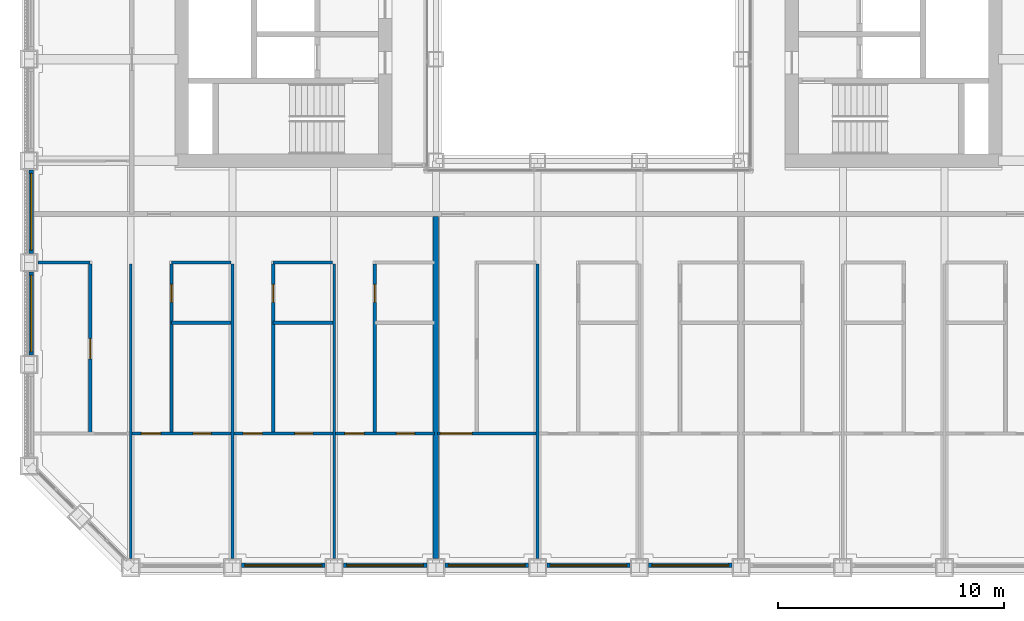
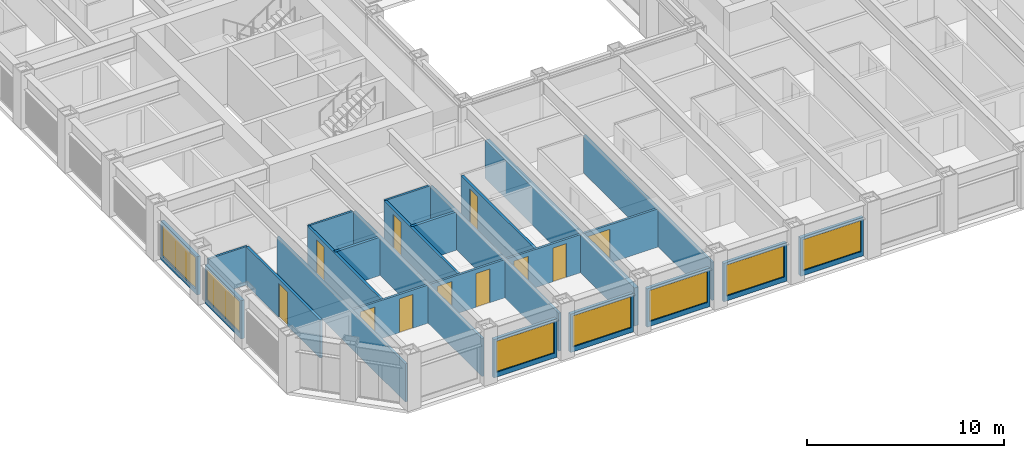
# One storey, part 9 of 21: 25 walls, 11 doors, 7 windows, 18 openings.
"""IFC4 building model written with IfcOpenShell, lengths in metres."""

from ifc_helpers import new_model, si_unit, direction, frame, frame_2d, origin, place, context, subcontext, project, spatial, rectangle, extrude, material, layer, layer_set, type_object, element, fill, save


model = new_model("IFC4")

# Units and contexts
model_context = context("Model", 3, precision=1e-05, world=origin(), true_north=direction((0.0, 1.0)))
body_context = subcontext(model_context, "Body", "Model", "MODEL_VIEW")
ifc_project = project(units=[si_unit("LENGTHUNIT", "METRE"), si_unit("AREAUNIT", "SQUARE_METRE"), si_unit("VOLUMEUNIT", "CUBIC_METRE"), si_unit("PLANEANGLEUNIT", "RADIAN"), si_unit("MASSUNIT", "GRAM", prefix="KILO")], contexts=[model_context])

# Site, building, storey
site_placement = place(None, origin())
site = spatial("IfcSite", under=ifc_project, at=site_placement, CompositionType="ELEMENT")
building_placement = place(site_placement, origin())
building = spatial("IfcBuilding", under=site, at=building_placement, Name="Msasa Ring Tower", CompositionType="ELEMENT")
storey_placement = place(building_placement, frame((0.0, 0.0, 96.5)))
storey = spatial("IfcBuildingStorey", under=building, at=storey_placement, Name="L25", CompositionType="ELEMENT", Elevation=96.5)

# Wall, opening, window
ifc_material_1 = material(Name="Terracotta rainscreen on blockwork", Category="masonry")
ifc_layer_1 = layer(ifc_material_1, 0.199951171875)
ifc_layer_set_1 = layer_set([ifc_layer_1], Name="FW1 TERRACOTTA-LINED INFILL BAY WALL 200")
wall_type_1 = type_object("IfcWallType", Name="FW1 TERRACOTTA-LINED INFILL BAY WALL 200", PredefinedType="SOLIDWALL", material=ifc_layer_set_1)
wall_1_placement = place(storey_placement, frame((-15.344970703125, -24.64990234375, 0.0), z_axis=(0.0, 0.0, 1.0), x_axis=(1.0, 0.0, 0.0)))
wall_1 = element("IfcWall", 1, at=wall_1_placement, inside=storey, type_object=wall_type_1, Name="Infill bay wall S L25 01", PredefinedType="SOLIDWALL", context=body_context, shape_type="SweptSolid", body=[
    extrude(rectangle(XDim=3.68994140625, YDim=0.199951171875, at=frame_2d((1.844970703125, 0.0))), origin(), (0.0, 0.0, 1.0), 2.37890625),
])
opening_1_placement = place(wall_1_placement, frame((0.14501953125, 0.0, 0.300048828125)))
opening_1 = element("IfcOpeningElement", 2, at=opening_1_placement, cuts=wall_1, Name="Opening WN1", PredefinedType="OPENING", context=body_context, shape_type="SweptSolid", body=[
    extrude(rectangle(XDim=3.39990234375, YDim=1.928955078125, at=frame_2d((1.699951171875, 0.96435546875))), frame((0.0, 0.10986328125, 0.0), z_axis=(0.0, -1.0, 0.0), x_axis=(1.0, 0.0, 0.0)), (0.0, 0.0, 1.0), 0.219970703125),
])
ifc_material_2 = material(Name="Aluminium frame with clear glass", Category="aluminium")
window_type = type_object("IfcWindowType", Name="WN1 RESIDENCE WINDOW 3400x1929", PartitioningType="SINGLE_PANEL", PredefinedType="WINDOW", material=ifc_material_2)
window_1_placement = place(opening_1_placement, origin())
window_1 = element("IfcWindow", 3, at=window_1_placement, inside=storey, type_object=window_type, Name="Window S L25 01", OverallHeight=1.928955078125, OverallWidth=3.39990234375, PartitioningType="SINGLE_PANEL", PredefinedType="WINDOW", context=body_context, shape_type="SweptSolid", body=[
    extrude(rectangle(XDim=3.39990234375, YDim=1.928955078125, at=frame_2d((1.699951171875, 0.96435546875))), frame((0.0, 0.030029296875, 0.0), z_axis=(0.0, -1.0, 0.0), x_axis=(1.0, 0.0, 0.0)), (0.0, 0.0, 1.0), 0.06005859375),
])
fill(opening_1, window_1)

wall_2_placement = place(storey_placement, frame((-10.844970703125, -24.64990234375, 0.0), z_axis=(0.0, 0.0, 1.0), x_axis=(1.0, 0.0, 0.0)))
wall_2 = element("IfcWall", 4, at=wall_2_placement, inside=storey, type_object=wall_type_1, Name="Infill bay wall S L25 02", PredefinedType="SOLIDWALL", context=body_context, shape_type="SweptSolid", body=[
    extrude(rectangle(XDim=3.68994140625, YDim=0.199951171875, at=frame_2d((1.844970703125, 0.0))), origin(), (0.0, 0.0, 1.0), 2.37890625),
])
opening_2_placement = place(wall_2_placement, frame((0.14501953125, 0.0, 0.300048828125)))
opening_2 = element("IfcOpeningElement", 5, at=opening_2_placement, cuts=wall_2, Name="Opening WN1", PredefinedType="OPENING", context=body_context, shape_type="SweptSolid", body=[
    extrude(rectangle(XDim=3.39990234375, YDim=1.928955078125, at=frame_2d((1.699951171875, 0.96435546875))), frame((0.0, 0.10986328125, 0.0), z_axis=(0.0, -1.0, 0.0), x_axis=(1.0, 0.0, 0.0)), (0.0, 0.0, 1.0), 0.219970703125),
])
window_2_placement = place(opening_2_placement, origin())
window_2 = element("IfcWindow", 6, at=window_2_placement, inside=storey, type_object=window_type, Name="Window S L25 02", OverallHeight=1.928955078125, OverallWidth=3.39990234375, PartitioningType="SINGLE_PANEL", PredefinedType="WINDOW", context=body_context, shape_type="SweptSolid", body=[
    extrude(rectangle(XDim=3.39990234375, YDim=1.928955078125, at=frame_2d((1.699951171875, 0.96435546875))), frame((0.0, 0.030029296875, 0.0), z_axis=(0.0, -1.0, 0.0), x_axis=(1.0, 0.0, 0.0)), (0.0, 0.0, 1.0), 0.06005859375),
])
fill(opening_2, window_2)

wall_3_placement = place(storey_placement, frame((-6.344970703125, -24.64990234375, 0.0), z_axis=(0.0, 0.0, 1.0), x_axis=(1.0, 0.0, 0.0)))
wall_3 = element("IfcWall", 7, at=wall_3_placement, inside=storey, type_object=wall_type_1, Name="Infill bay wall S L25 03", PredefinedType="SOLIDWALL", context=body_context, shape_type="SweptSolid", body=[
    extrude(rectangle(XDim=3.68994140625, YDim=0.199951171875, at=frame_2d((1.844970703125, 0.0))), origin(), (0.0, 0.0, 1.0), 2.37890625),
])
opening_3_placement = place(wall_3_placement, frame((0.14501953125, 0.0, 0.300048828125)))
opening_3 = element("IfcOpeningElement", 8, at=opening_3_placement, cuts=wall_3, Name="Opening WN1", PredefinedType="OPENING", context=body_context, shape_type="SweptSolid", body=[
    extrude(rectangle(XDim=3.39990234375, YDim=1.928955078125, at=frame_2d((1.699951171875, 0.96435546875))), frame((0.0, 0.10986328125, 0.0), z_axis=(0.0, -1.0, 0.0), x_axis=(1.0, 0.0, 0.0)), (0.0, 0.0, 1.0), 0.219970703125),
])
window_3_placement = place(opening_3_placement, origin())
window_3 = element("IfcWindow", 9, at=window_3_placement, inside=storey, type_object=window_type, Name="Window S L25 03", OverallHeight=1.928955078125, OverallWidth=3.39990234375, PartitioningType="SINGLE_PANEL", PredefinedType="WINDOW", context=body_context, shape_type="SweptSolid", body=[
    extrude(rectangle(XDim=3.39990234375, YDim=1.928955078125, at=frame_2d((1.699951171875, 0.96435546875))), frame((0.0, 0.030029296875, 0.0), z_axis=(0.0, -1.0, 0.0), x_axis=(1.0, 0.0, 0.0)), (0.0, 0.0, 1.0), 0.06005859375),
])
fill(opening_3, window_3)

wall_4_placement = place(storey_placement, frame((-1.844970703125, -24.64990234375, 0.0), z_axis=(0.0, 0.0, 1.0), x_axis=(1.0, 0.0, 0.0)))
wall_4 = element("IfcWall", 10, at=wall_4_placement, inside=storey, type_object=wall_type_1, Name="Infill bay wall S L25 04", PredefinedType="SOLIDWALL", context=body_context, shape_type="SweptSolid", body=[
    extrude(rectangle(XDim=3.68994140625, YDim=0.199951171875, at=frame_2d((1.844970703125, 0.0))), origin(), (0.0, 0.0, 1.0), 2.37890625),
])
opening_4_placement = place(wall_4_placement, frame((0.14501953125, 0.0, 0.300048828125)))
opening_4 = element("IfcOpeningElement", 11, at=opening_4_placement, cuts=wall_4, Name="Opening WN1", PredefinedType="OPENING", context=body_context, shape_type="SweptSolid", body=[
    extrude(rectangle(XDim=3.39990234375, YDim=1.928955078125, at=frame_2d((1.699951171875, 0.96435546875))), frame((0.0, 0.10986328125, 0.0), z_axis=(0.0, -1.0, 0.0), x_axis=(1.0, 0.0, 0.0)), (0.0, 0.0, 1.0), 0.219970703125),
])
window_4_placement = place(opening_4_placement, origin())
window_4 = element("IfcWindow", 12, at=window_4_placement, inside=storey, type_object=window_type, Name="Window S L25 04", OverallHeight=1.928955078125, OverallWidth=3.39990234375, PartitioningType="SINGLE_PANEL", PredefinedType="WINDOW", context=body_context, shape_type="SweptSolid", body=[
    extrude(rectangle(XDim=3.39990234375, YDim=1.928955078125, at=frame_2d((1.699951171875, 0.96435546875))), frame((0.0, 0.030029296875, 0.0), z_axis=(0.0, -1.0, 0.0), x_axis=(1.0, 0.0, 0.0)), (0.0, 0.0, 1.0), 0.06005859375),
])
fill(opening_4, window_4)

wall_5_placement = place(storey_placement, frame((2.655029296875, -24.64990234375, 0.0), z_axis=(0.0, 0.0, 1.0), x_axis=(1.0, 0.0, 0.0)))
wall_5 = element("IfcWall", 13, at=wall_5_placement, inside=storey, type_object=wall_type_1, Name="Infill bay wall S L25 05", PredefinedType="SOLIDWALL", context=body_context, shape_type="SweptSolid", body=[
    extrude(rectangle(XDim=3.68994140625, YDim=0.199951171875, at=frame_2d((1.844970703125, 0.0))), origin(), (0.0, 0.0, 1.0), 2.37890625),
])
opening_5_placement = place(wall_5_placement, frame((0.14501953125, 0.0, 0.300048828125)))
opening_5 = element("IfcOpeningElement", 14, at=opening_5_placement, cuts=wall_5, Name="Opening WN1", PredefinedType="OPENING", context=body_context, shape_type="SweptSolid", body=[
    extrude(rectangle(XDim=3.39990234375, YDim=1.928955078125, at=frame_2d((1.699951171875, 0.96435546875))), frame((0.0, 0.10986328125, 0.0), z_axis=(0.0, -1.0, 0.0), x_axis=(1.0, 0.0, 0.0)), (0.0, 0.0, 1.0), 0.219970703125),
])
window_5_placement = place(opening_5_placement, origin())
window_5 = element("IfcWindow", 15, at=window_5_placement, inside=storey, type_object=window_type, Name="Window S L25 05", OverallHeight=1.928955078125, OverallWidth=3.39990234375, PartitioningType="SINGLE_PANEL", PredefinedType="WINDOW", context=body_context, shape_type="SweptSolid", body=[
    extrude(rectangle(XDim=3.39990234375, YDim=1.928955078125, at=frame_2d((1.699951171875, 0.96435546875))), frame((0.0, 0.030029296875, 0.0), z_axis=(0.0, -1.0, 0.0), x_axis=(1.0, 0.0, 0.0)), (0.0, 0.0, 1.0), 0.06005859375),
])
fill(opening_5, window_5)

wall_6_placement = place(storey_placement, frame((-24.64990234375, -15.344970703125, 0.0), z_axis=(0.0, 0.0, 1.0), x_axis=(0.0, 1.0, 0.0)))
wall_6 = element("IfcWall", 16, at=wall_6_placement, inside=storey, type_object=wall_type_1, Name="Infill bay wall W L25 34", PredefinedType="SOLIDWALL", context=body_context, shape_type="SweptSolid", body=[
    extrude(rectangle(XDim=3.68994140625, YDim=0.199951171875, at=frame_2d((1.844970703125, 0.0))), origin(), (0.0, 0.0, 1.0), 2.37890625),
])
opening_6_placement = place(wall_6_placement, frame((0.14501953125, 0.0, 0.300048828125)))
opening_6 = element("IfcOpeningElement", 17, at=opening_6_placement, cuts=wall_6, Name="Opening WN1", PredefinedType="OPENING", context=body_context, shape_type="SweptSolid", body=[
    extrude(rectangle(XDim=3.39990234375, YDim=1.928955078125, at=frame_2d((1.699951171875, 0.96435546875))), frame((0.0, 0.10986328125, 0.0), z_axis=(0.0, -1.0, 0.0), x_axis=(1.0, 0.0, 0.0)), (0.0, 0.0, 1.0), 0.219970703125),
])
window_6_placement = place(opening_6_placement, origin())
window_6 = element("IfcWindow", 18, at=window_6_placement, inside=storey, type_object=window_type, Name="Window W L25 34", OverallHeight=1.928955078125, OverallWidth=3.39990234375, PartitioningType="SINGLE_PANEL", PredefinedType="WINDOW", context=body_context, shape_type="SweptSolid", body=[
    extrude(rectangle(XDim=3.39990234375, YDim=1.928955078125, at=frame_2d((1.699951171875, 0.96435546875))), frame((0.0, 0.030029296875, 0.0), z_axis=(0.0, -1.0, 0.0), x_axis=(1.0, 0.0, 0.0)), (0.0, 0.0, 1.0), 0.06005859375),
])
fill(opening_6, window_6)

wall_7_placement = place(storey_placement, frame((-24.64990234375, -10.844970703125, 0.0), z_axis=(0.0, 0.0, 1.0), x_axis=(0.0, 1.0, 0.0)))
wall_7 = element("IfcWall", 19, at=wall_7_placement, inside=storey, type_object=wall_type_1, Name="Infill bay wall W L25 35", PredefinedType="SOLIDWALL", context=body_context, shape_type="SweptSolid", body=[
    extrude(rectangle(XDim=3.68994140625, YDim=0.199951171875, at=frame_2d((1.844970703125, 0.0))), origin(), (0.0, 0.0, 1.0), 2.37890625),
])
opening_7_placement = place(wall_7_placement, frame((0.14501953125, 0.0, 0.300048828125)))
opening_7 = element("IfcOpeningElement", 20, at=opening_7_placement, cuts=wall_7, Name="Opening WN1", PredefinedType="OPENING", context=body_context, shape_type="SweptSolid", body=[
    extrude(rectangle(XDim=3.39990234375, YDim=1.928955078125, at=frame_2d((1.699951171875, 0.96435546875))), frame((0.0, 0.10986328125, 0.0), z_axis=(0.0, -1.0, 0.0), x_axis=(1.0, 0.0, 0.0)), (0.0, 0.0, 1.0), 0.219970703125),
])
window_7_placement = place(opening_7_placement, origin())
window_7 = element("IfcWindow", 21, at=window_7_placement, inside=storey, type_object=window_type, Name="Window W L25 35", OverallHeight=1.928955078125, OverallWidth=3.39990234375, PartitioningType="SINGLE_PANEL", PredefinedType="WINDOW", context=body_context, shape_type="SweptSolid", body=[
    extrude(rectangle(XDim=3.39990234375, YDim=1.928955078125, at=frame_2d((1.699951171875, 0.96435546875))), frame((0.0, 0.030029296875, 0.0), z_axis=(0.0, -1.0, 0.0), x_axis=(1.0, 0.0, 0.0)), (0.0, 0.0, 1.0), 0.06005859375),
])
fill(opening_7, window_7)

# Wall
ifc_material_3 = material(Name="Dense concrete blockwork, plastered both faces", Category="masonry")
ifc_layer_2 = layer(ifc_material_3, 0.25)
ifc_layer_set_2 = layer_set([ifc_layer_2], Name="PT3 APARTMENT SEPARATING WALL 250")
wall_type_2 = type_object("IfcWallType", Name="PT3 APARTMENT SEPARATING WALL 250", PredefinedType="PARTITIONING", material=ifc_layer_set_2)
wall_8_placement = place(storey_placement, frame((-6.75, -24.35009765625, 0.0), z_axis=(0.0, 0.0, 1.0), x_axis=(0.0, 1.0, 0.0)))
element("IfcWall", 22, at=wall_8_placement, inside=storey, type_object=wall_type_2, Name="Party wall L25-PWS-6.75", PredefinedType="PARTITIONING", context=body_context, shape_type="SweptSolid", body=[
    extrude(rectangle(XDim=15.150146484375, YDim=0.25, at=frame_2d((7.5751953125, 0.0))), origin(), (0.0, 0.0, 1.0), 2.373291015625),
])

# Wall, opening, door
ifc_material_4 = material(Name="Moisture-resistant board on steel studs with a concealed cistern and pipe void, tiled", Category="steel")
ifc_layer_3 = layer(ifc_material_4, 0.14990234375)
ifc_layer_set_3 = layer_set([ifc_layer_3], Name="PT4 BATHROOM WET WALL 150")
wall_type_3 = type_object("IfcWallType", Name="PT4 BATHROOM WET WALL 150", PredefinedType="PARTITIONING", material=ifc_layer_set_3)
wall_9_placement = place(storey_placement, frame((-22.050048828125, -18.8125, 0.0), z_axis=(0.0, 0.0, 1.0), x_axis=(0.0, 1.0, 0.0)))
wall_9 = element("IfcWall", 23, at=wall_9_placement, inside=storey, type_object=wall_type_3, Name="Partition L25-US00SX0", PredefinedType="PARTITIONING", context=body_context, shape_type="SweptSolid", body=[
    extrude(rectangle(XDim=7.5, YDim=0.14990234375, at=frame_2d((3.75, 0.0))), origin(), (0.0, 0.0, 1.0), 2.373291015625),
])
opening_8_placement = place(wall_9_placement, frame((3.300048828125, 0.0, 0.0)))
opening_8 = element("IfcOpeningElement", 24, at=opening_8_placement, cuts=wall_9, Name="Opening RG-061", PredefinedType="OPENING", context=body_context, shape_type="SweptSolid", body=[
    extrude(rectangle(XDim=0.89990234375, YDim=2.10009765625, at=frame_2d((0.449951171875, 1.050048828125))), frame((0.0, 0.0849609375, 0.0), z_axis=(0.0, -1.0, 0.0), x_axis=(1.0, 0.0, 0.0)), (0.0, 0.0, 1.0), 0.169921875),
])
ifc_material_5 = material(Name="Timber door leaf in a steel frame", Category="steel")
door_type_1 = type_object("IfcDoorType", Name="D22 INTERNAL HALL DOOR 900x2100", OperationType="SINGLE_SWING_LEFT", PredefinedType="DOOR", material=ifc_material_5)
door_1_placement = place(opening_8_placement, origin())
door_1 = element("IfcDoor", 25, at=door_1_placement, inside=storey, type_object=door_type_1, Name="Door L25-US00K", OperationType="SINGLE_SWING_LEFT", OverallHeight=2.10009765625, OverallWidth=0.89990234375, PredefinedType="DOOR", context=body_context, shape_type="SweptSolid", body=[
    extrude(rectangle(XDim=0.89990234375, YDim=2.10009765625, at=frame_2d((0.449951171875, 1.050048828125))), frame((0.0, 0.02490234375, 0.0), z_axis=(0.0, -1.0, 0.0), x_axis=(1.0, 0.0, 0.0)), (0.0, 0.0, 1.0), 0.050048828125),
])
fill(opening_8, door_1)

wall_10_placement = place(storey_placement, frame((-18.449951171875, -18.8125, 0.0), z_axis=(0.0, 0.0, 1.0), x_axis=(0.0, 1.0, 0.0)))
wall_10 = element("IfcWall", 26, at=wall_10_placement, inside=storey, type_object=wall_type_3, Name="Partition L25-US00SX1", PredefinedType="PARTITIONING", context=body_context, shape_type="SweptSolid", body=[
    extrude(rectangle(XDim=7.5, YDim=0.14990234375, at=frame_2d((3.75, 0.0))), origin(), (0.0, 0.0, 1.0), 2.373291015625),
])
opening_9_placement = place(wall_10_placement, frame((5.800048828125, 0.0, 0.0)))
opening_9 = element("IfcOpeningElement", 27, at=opening_9_placement, cuts=wall_10, Name="Opening RG-053", PredefinedType="OPENING", context=body_context, shape_type="SweptSolid", body=[
    extrude(rectangle(XDim=0.800048828125, YDim=2.10009765625, at=frame_2d((0.39990234375, 1.050048828125))), frame((0.0, 0.0849609375, 0.0), z_axis=(0.0, -1.0, 0.0), x_axis=(1.0, 0.0, 0.0)), (0.0, 0.0, 1.0), 0.169921875),
])
ifc_material_6 = material(Name="Timber door leaf in a steel frame", Category="steel")
door_type_2 = type_object("IfcDoorType", Name="D21 POCKET SLIDING BATHROOM DOOR 800x2100", OperationType="SINGLE_SWING_LEFT", PredefinedType="DOOR", material=ifc_material_6)
door_2_placement = place(opening_9_placement, origin())
door_2 = element("IfcDoor", 28, at=door_2_placement, inside=storey, type_object=door_type_2, Name="Door L25-US00B1", OperationType="SINGLE_SWING_RIGHT", OverallHeight=2.10009765625, OverallWidth=0.800048828125, PredefinedType="DOOR", context=body_context, shape_type="SweptSolid", body=[
    extrude(rectangle(XDim=0.800048828125, YDim=2.10009765625, at=frame_2d((0.39990234375, 1.050048828125))), frame((0.0, 0.02490234375, 0.0), z_axis=(0.0, -1.0, 0.0), x_axis=(1.0, 0.0, 0.0)), (0.0, 0.0, 1.0), 0.050048828125),
])
fill(opening_9, door_2)

# Wall
wall_11_placement = place(storey_placement, frame((-18.449951171875, -13.91259765625, 0.0), z_axis=(0.0, 0.0, 1.0), x_axis=(1.0, 0.0, 0.0)))
element("IfcWall", 29, at=wall_11_placement, inside=storey, type_object=wall_type_3, Name="Partition L25-US00SB1", PredefinedType="PARTITIONING", context=body_context, shape_type="SweptSolid", body=[
    extrude(rectangle(XDim=2.637451171875, YDim=0.14990234375, at=frame_2d((1.31884765625, 0.0))), origin(), (0.0, 0.0, 1.0), 2.373291015625),
])

# Wall, opening, door
wall_12_placement = place(storey_placement, frame((-13.949951171875, -18.8125, 0.0), z_axis=(0.0, 0.0, 1.0), x_axis=(0.0, 1.0, 0.0)))
wall_12 = element("IfcWall", 30, at=wall_12_placement, inside=storey, type_object=wall_type_3, Name="Partition L25-US00SX2", PredefinedType="PARTITIONING", context=body_context, shape_type="SweptSolid", body=[
    extrude(rectangle(XDim=7.5, YDim=0.14990234375, at=frame_2d((3.75, 0.0))), origin(), (0.0, 0.0, 1.0), 2.373291015625),
])
opening_10_placement = place(wall_12_placement, frame((5.800048828125, 0.0, 0.0)))
opening_10 = element("IfcOpeningElement", 31, at=opening_10_placement, cuts=wall_12, Name="Opening RG-054", PredefinedType="OPENING", context=body_context, shape_type="SweptSolid", body=[
    extrude(rectangle(XDim=0.800048828125, YDim=2.10009765625, at=frame_2d((0.39990234375, 1.050048828125))), frame((0.0, 0.0849609375, 0.0), z_axis=(0.0, -1.0, 0.0), x_axis=(1.0, 0.0, 0.0)), (0.0, 0.0, 1.0), 0.169921875),
])
door_3_placement = place(opening_10_placement, origin())
door_3 = element("IfcDoor", 32, at=door_3_placement, inside=storey, type_object=door_type_2, Name="Door L25-US00B2", OperationType="SINGLE_SWING_RIGHT", OverallHeight=2.10009765625, OverallWidth=0.800048828125, PredefinedType="DOOR", context=body_context, shape_type="SweptSolid", body=[
    extrude(rectangle(XDim=0.800048828125, YDim=2.10009765625, at=frame_2d((0.39990234375, 1.050048828125))), frame((0.0, 0.02490234375, 0.0), z_axis=(0.0, -1.0, 0.0), x_axis=(1.0, 0.0, 0.0)), (0.0, 0.0, 1.0), 0.050048828125),
])
fill(opening_10, door_3)

# Wall
wall_13_placement = place(storey_placement, frame((-13.949951171875, -13.91259765625, 0.0), z_axis=(0.0, 0.0, 1.0), x_axis=(1.0, 0.0, 0.0)))
element("IfcWall", 33, at=wall_13_placement, inside=storey, type_object=wall_type_3, Name="Partition L25-US00SB2", PredefinedType="PARTITIONING", context=body_context, shape_type="SweptSolid", body=[
    extrude(rectangle(XDim=2.637451171875, YDim=0.14990234375, at=frame_2d((1.31884765625, 0.0))), origin(), (0.0, 0.0, 1.0), 2.373291015625),
])

# Wall, opening, door
wall_14_placement = place(storey_placement, frame((-9.449951171875, -18.8125, 0.0), z_axis=(0.0, 0.0, 1.0), x_axis=(0.0, 1.0, 0.0)))
wall_14 = element("IfcWall", 34, at=wall_14_placement, inside=storey, type_object=wall_type_3, Name="Partition L25-US00SX3", PredefinedType="PARTITIONING", context=body_context, shape_type="SweptSolid", body=[
    extrude(rectangle(XDim=7.5, YDim=0.14990234375, at=frame_2d((3.75, 0.0))), origin(), (0.0, 0.0, 1.0), 2.373291015625),
])
opening_11_placement = place(wall_14_placement, frame((5.800048828125, 0.0, 0.0)))
opening_11 = element("IfcOpeningElement", 35, at=opening_11_placement, cuts=wall_14, Name="Opening RG-055", PredefinedType="OPENING", context=body_context, shape_type="SweptSolid", body=[
    extrude(rectangle(XDim=0.800048828125, YDim=2.10009765625, at=frame_2d((0.39990234375, 1.050048828125))), frame((0.0, 0.0849609375, 0.0), z_axis=(0.0, -1.0, 0.0), x_axis=(1.0, 0.0, 0.0)), (0.0, 0.0, 1.0), 0.169921875),
])
door_4_placement = place(opening_11_placement, origin())
door_4 = element("IfcDoor", 36, at=door_4_placement, inside=storey, type_object=door_type_2, Name="Door L25-US00B3", OperationType="SINGLE_SWING_RIGHT", OverallHeight=2.10009765625, OverallWidth=0.800048828125, PredefinedType="DOOR", context=body_context, shape_type="SweptSolid", body=[
    extrude(rectangle(XDim=0.800048828125, YDim=2.10009765625, at=frame_2d((0.39990234375, 1.050048828125))), frame((0.0, 0.02490234375, 0.0), z_axis=(0.0, -1.0, 0.0), x_axis=(1.0, 0.0, 0.0)), (0.0, 0.0, 1.0), 0.050048828125),
])
fill(opening_11, door_4)

# Walls
ifc_material_7 = material(Name="Two layers of acoustic board each face on steel studs, mineral wool", Category="steel")
ifc_layer_4 = layer(ifc_material_7, 0.125)
ifc_layer_set_4 = layer_set([ifc_layer_4], Name="PT6 ACOUSTIC DOUBLE-BOARD PARTITION 125")
wall_type_4 = type_object("IfcWallType", Name="PT6 ACOUSTIC DOUBLE-BOARD PARTITION 125", PredefinedType="PARTITIONING", material=ifc_layer_set_4)
wall_15_placement = place(storey_placement, frame((-24.35009765625, -11.25, 0.0), z_axis=(0.0, 0.0, 1.0), x_axis=(1.0, 0.0, 0.0)))
element("IfcWall", 37, at=wall_15_placement, inside=storey, type_object=wall_type_4, Name="Partition L25-US00HY0", PredefinedType="PARTITIONING", context=body_context, shape_type="SweptSolid", body=[
    extrude(rectangle(XDim=2.300048828125, YDim=0.125, at=frame_2d((1.14990234375, 0.0))), origin(), (0.0, 0.0, 1.0), 2.373291015625),
])
wall_16_placement = place(storey_placement, frame((-20.25, -24.35009765625, 0.0), z_axis=(0.0, 0.0, 1.0), x_axis=(0.0, 1.0, 0.0)))
element("IfcWall", 38, at=wall_16_placement, inside=storey, type_object=wall_type_4, Name="Partition L25-US00P1", PredefinedType="PARTITIONING", context=body_context, shape_type="SweptSolid", body=[
    extrude(rectangle(XDim=13.03759765625, YDim=0.125, at=frame_2d((6.518798828125, 0.0))), origin(), (0.0, 0.0, 1.0), 2.373291015625),
])
wall_17_placement = place(storey_placement, frame((-18.449951171875, -11.25, 0.0), z_axis=(0.0, 0.0, 1.0), x_axis=(1.0, 0.0, 0.0)))
element("IfcWall", 39, at=wall_17_placement, inside=storey, type_object=wall_type_4, Name="Partition L25-US00HY1", PredefinedType="PARTITIONING", context=body_context, shape_type="SweptSolid", body=[
    extrude(rectangle(XDim=2.632568359375, YDim=0.125, at=frame_2d((1.31640625, 0.0))), origin(), (0.0, 0.0, 1.0), 2.373291015625),
])

# Wall, openings, doors
wall_18_placement = place(storey_placement, frame((-20.1875, -18.8125, 0.0), z_axis=(0.0, 0.0, 1.0), x_axis=(1.0, 0.0, 0.0)))
wall_18 = element("IfcWall", 40, at=wall_18_placement, inside=storey, type_object=wall_type_4, Name="Partition L25-US00SY1", PredefinedType="PARTITIONING", context=body_context, shape_type="SweptSolid", body=[
    extrude(rectangle(XDim=4.375, YDim=0.125, at=frame_2d((2.1875, 0.0))), origin(), (0.0, 0.0, 1.0), 2.373291015625),
])
opening_12_placement = place(wall_18_placement, frame((0.41259765625, 0.0, 0.0)))
opening_12 = element("IfcOpeningElement", 41, at=opening_12_placement, cuts=wall_18, Name="Opening RG-065", PredefinedType="OPENING", context=body_context, shape_type="SweptSolid", body=[
    extrude(rectangle(XDim=0.85009765625, YDim=2.10009765625, at=frame_2d((0.425048828125, 1.050048828125))), frame((0.0, 0.072509765625, 0.0), z_axis=(0.0, -1.0, 0.0), x_axis=(1.0, 0.0, 0.0)), (0.0, 0.0, 1.0), 0.14501953125),
])
opening_13_placement = place(wall_18_placement, frame((2.693603515625, 0.0, 0.0)))
opening_13 = element("IfcOpeningElement", 42, at=opening_13_placement, cuts=wall_18, Name="Opening RG-066", PredefinedType="OPENING", context=body_context, shape_type="SweptSolid", body=[
    extrude(rectangle(XDim=0.800048828125, YDim=2.10009765625, at=frame_2d((0.39990234375, 1.050048828125))), frame((0.0, 0.072509765625, 0.0), z_axis=(0.0, -1.0, 0.0), x_axis=(1.0, 0.0, 0.0)), (0.0, 0.0, 1.0), 0.14501953125),
])
ifc_material_8 = material(Name="Timber door leaf in a steel frame", Category="steel")
door_type_3 = type_object("IfcDoorType", Name="D14 BEDROOM DOOR 850x2100", OperationType="SINGLE_SWING_LEFT", PredefinedType="DOOR", material=ifc_material_8)
door_5_placement = place(opening_12_placement, origin())
door_5 = element("IfcDoor", 43, at=door_5_placement, inside=storey, type_object=door_type_3, Name="Door L25-US00R1", OperationType="SINGLE_SWING_LEFT", OverallHeight=2.10009765625, OverallWidth=0.85009765625, PredefinedType="DOOR", context=body_context, shape_type="SweptSolid", body=[
    extrude(rectangle(XDim=0.85009765625, YDim=2.10009765625, at=frame_2d((0.425048828125, 1.050048828125))), frame((0.0, 0.02490234375, 0.0), z_axis=(0.0, -1.0, 0.0), x_axis=(1.0, 0.0, 0.0)), (0.0, 0.0, 1.0), 0.050048828125),
])
fill(opening_12, door_5)
ifc_material_9 = material(Name="Timber door leaf in a steel frame", Category="steel")
door_type_4 = type_object("IfcDoorType", Name="D60 DRESSING ROOM DOOR 800x2100", OperationType="SINGLE_SWING_LEFT", PredefinedType="DOOR", material=ifc_material_9)
door_6_placement = place(opening_13_placement, origin())
door_6 = element("IfcDoor", 44, at=door_6_placement, inside=storey, type_object=door_type_4, Name="Door L25-US00W1", OperationType="SINGLE_SWING_RIGHT", OverallHeight=2.10009765625, OverallWidth=0.800048828125, PredefinedType="DOOR", context=body_context, shape_type="SweptSolid", body=[
    extrude(rectangle(XDim=0.800048828125, YDim=2.10009765625, at=frame_2d((0.39990234375, 1.050048828125))), frame((0.0, 0.02490234375, 0.0), z_axis=(0.0, -1.0, 0.0), x_axis=(1.0, 0.0, 0.0)), (0.0, 0.0, 1.0), 0.050048828125),
])
fill(opening_13, door_6)

# Walls
wall_19_placement = place(storey_placement, frame((-15.75, -24.35009765625, 0.0), z_axis=(0.0, 0.0, 1.0), x_axis=(0.0, 1.0, 0.0)))
element("IfcWall", 45, at=wall_19_placement, inside=storey, type_object=wall_type_4, Name="Partition L25-US00P2", PredefinedType="PARTITIONING", context=body_context, shape_type="SweptSolid", body=[
    extrude(rectangle(XDim=13.03759765625, YDim=0.125, at=frame_2d((6.518798828125, 0.0))), origin(), (0.0, 0.0, 1.0), 2.373291015625),
])
wall_20_placement = place(storey_placement, frame((-13.949951171875, -11.25, 0.0), z_axis=(0.0, 0.0, 1.0), x_axis=(1.0, 0.0, 0.0)))
element("IfcWall", 46, at=wall_20_placement, inside=storey, type_object=wall_type_4, Name="Partition L25-US00HY2", PredefinedType="PARTITIONING", context=body_context, shape_type="SweptSolid", body=[
    extrude(rectangle(XDim=2.632568359375, YDim=0.125, at=frame_2d((1.31640625, 0.0))), origin(), (0.0, 0.0, 1.0), 2.373291015625),
])

# Wall, openings, doors
wall_21_placement = place(storey_placement, frame((-15.6875, -18.8125, 0.0), z_axis=(0.0, 0.0, 1.0), x_axis=(1.0, 0.0, 0.0)))
wall_21 = element("IfcWall", 47, at=wall_21_placement, inside=storey, type_object=wall_type_4, Name="Partition L25-US00SY2", PredefinedType="PARTITIONING", context=body_context, shape_type="SweptSolid", body=[
    extrude(rectangle(XDim=4.375, YDim=0.125, at=frame_2d((2.1875, 0.0))), origin(), (0.0, 0.0, 1.0), 2.373291015625),
])
opening_14_placement = place(wall_21_placement, frame((0.41259765625, 0.0, 0.0)))
opening_14 = element("IfcOpeningElement", 48, at=opening_14_placement, cuts=wall_21, Name="Opening RG-067", PredefinedType="OPENING", context=body_context, shape_type="SweptSolid", body=[
    extrude(rectangle(XDim=0.85009765625, YDim=2.10009765625, at=frame_2d((0.425048828125, 1.050048828125))), frame((0.0, 0.072509765625, 0.0), z_axis=(0.0, -1.0, 0.0), x_axis=(1.0, 0.0, 0.0)), (0.0, 0.0, 1.0), 0.14501953125),
])
opening_15_placement = place(wall_21_placement, frame((2.693603515625, 0.0, 0.0)))
opening_15 = element("IfcOpeningElement", 49, at=opening_15_placement, cuts=wall_21, Name="Opening RG-068", PredefinedType="OPENING", context=body_context, shape_type="SweptSolid", body=[
    extrude(rectangle(XDim=0.800048828125, YDim=2.10009765625, at=frame_2d((0.39990234375, 1.050048828125))), frame((0.0, 0.072509765625, 0.0), z_axis=(0.0, -1.0, 0.0), x_axis=(1.0, 0.0, 0.0)), (0.0, 0.0, 1.0), 0.14501953125),
])
door_7_placement = place(opening_14_placement, origin())
door_7 = element("IfcDoor", 50, at=door_7_placement, inside=storey, type_object=door_type_3, Name="Door L25-US00R2", OperationType="SINGLE_SWING_LEFT", OverallHeight=2.10009765625, OverallWidth=0.85009765625, PredefinedType="DOOR", context=body_context, shape_type="SweptSolid", body=[
    extrude(rectangle(XDim=0.85009765625, YDim=2.10009765625, at=frame_2d((0.425048828125, 1.050048828125))), frame((0.0, 0.02490234375, 0.0), z_axis=(0.0, -1.0, 0.0), x_axis=(1.0, 0.0, 0.0)), (0.0, 0.0, 1.0), 0.050048828125),
])
fill(opening_14, door_7)
door_8_placement = place(opening_15_placement, origin())
door_8 = element("IfcDoor", 51, at=door_8_placement, inside=storey, type_object=door_type_4, Name="Door L25-US00W2", OperationType="SINGLE_SWING_RIGHT", OverallHeight=2.10009765625, OverallWidth=0.800048828125, PredefinedType="DOOR", context=body_context, shape_type="SweptSolid", body=[
    extrude(rectangle(XDim=0.800048828125, YDim=2.10009765625, at=frame_2d((0.39990234375, 1.050048828125))), frame((0.0, 0.02490234375, 0.0), z_axis=(0.0, -1.0, 0.0), x_axis=(1.0, 0.0, 0.0)), (0.0, 0.0, 1.0), 0.050048828125),
])
fill(opening_15, door_8)

# Wall
wall_22_placement = place(storey_placement, frame((-11.25, -24.35009765625, 0.0), z_axis=(0.0, 0.0, 1.0), x_axis=(0.0, 1.0, 0.0)))
element("IfcWall", 52, at=wall_22_placement, inside=storey, type_object=wall_type_4, Name="Partition L25-US00P3", PredefinedType="PARTITIONING", context=body_context, shape_type="SweptSolid", body=[
    extrude(rectangle(XDim=13.03759765625, YDim=0.125, at=frame_2d((6.518798828125, 0.0))), origin(), (0.0, 0.0, 1.0), 2.373291015625),
])

# Wall, openings, doors
wall_23_placement = place(storey_placement, frame((-11.1875, -18.8125, 0.0), z_axis=(0.0, 0.0, 1.0), x_axis=(1.0, 0.0, 0.0)))
wall_23 = element("IfcWall", 53, at=wall_23_placement, inside=storey, type_object=wall_type_4, Name="Partition L25-US00SY3", PredefinedType="PARTITIONING", context=body_context, shape_type="SweptSolid", body=[
    extrude(rectangle(XDim=4.3701171875, YDim=0.125, at=frame_2d((2.18505859375, 0.0))), origin(), (0.0, 0.0, 1.0), 2.373291015625),
])
opening_16_placement = place(wall_23_placement, frame((0.41259765625, 0.0, 0.0)))
opening_16 = element("IfcOpeningElement", 54, at=opening_16_placement, cuts=wall_23, Name="Opening RG-069", PredefinedType="OPENING", context=body_context, shape_type="SweptSolid", body=[
    extrude(rectangle(XDim=0.85009765625, YDim=2.10009765625, at=frame_2d((0.425048828125, 1.050048828125))), frame((0.0, 0.072509765625, 0.0), z_axis=(0.0, -1.0, 0.0), x_axis=(1.0, 0.0, 0.0)), (0.0, 0.0, 1.0), 0.14501953125),
])
opening_17_placement = place(wall_23_placement, frame((2.693603515625, 0.0, 0.0)))
opening_17 = element("IfcOpeningElement", 55, at=opening_17_placement, cuts=wall_23, Name="Opening RG-070", PredefinedType="OPENING", context=body_context, shape_type="SweptSolid", body=[
    extrude(rectangle(XDim=0.800048828125, YDim=2.10009765625, at=frame_2d((0.39990234375, 1.050048828125))), frame((0.0, 0.072509765625, 0.0), z_axis=(0.0, -1.0, 0.0), x_axis=(1.0, 0.0, 0.0)), (0.0, 0.0, 1.0), 0.14501953125),
])
door_9_placement = place(opening_16_placement, origin())
door_9 = element("IfcDoor", 56, at=door_9_placement, inside=storey, type_object=door_type_3, Name="Door L25-US00R3", OperationType="SINGLE_SWING_LEFT", OverallHeight=2.10009765625, OverallWidth=0.85009765625, PredefinedType="DOOR", context=body_context, shape_type="SweptSolid", body=[
    extrude(rectangle(XDim=0.85009765625, YDim=2.10009765625, at=frame_2d((0.425048828125, 1.050048828125))), frame((0.0, 0.02490234375, 0.0), z_axis=(0.0, -1.0, 0.0), x_axis=(1.0, 0.0, 0.0)), (0.0, 0.0, 1.0), 0.050048828125),
])
fill(opening_16, door_9)
door_10_placement = place(opening_17_placement, origin())
door_10 = element("IfcDoor", 57, at=door_10_placement, inside=storey, type_object=door_type_4, Name="Door L25-US00W3", OperationType="SINGLE_SWING_RIGHT", OverallHeight=2.10009765625, OverallWidth=0.800048828125, PredefinedType="DOOR", context=body_context, shape_type="SweptSolid", body=[
    extrude(rectangle(XDim=0.800048828125, YDim=2.10009765625, at=frame_2d((0.39990234375, 1.050048828125))), frame((0.0, 0.02490234375, 0.0), z_axis=(0.0, -1.0, 0.0), x_axis=(1.0, 0.0, 0.0)), (0.0, 0.0, 1.0), 0.050048828125),
])
fill(opening_17, door_10)

# Wall, opening, door
wall_24_placement = place(storey_placement, frame((-6.6826171875, -18.8125, 0.0), z_axis=(0.0, 0.0, 1.0), x_axis=(1.0, 0.0, 0.0)))
wall_24 = element("IfcWall", 58, at=wall_24_placement, inside=storey, type_object=wall_type_4, Name="Partition L25-US01SY0", PredefinedType="PARTITIONING", context=body_context, shape_type="SweptSolid", body=[
    extrude(rectangle(XDim=4.3701171875, YDim=0.125, at=frame_2d((2.18505859375, 0.0))), origin(), (0.0, 0.0, 1.0), 2.373291015625),
])
opening_18_placement = place(wall_24_placement, frame((0.132568359375, 0.0, 0.0)))
opening_18 = element("IfcOpeningElement", 59, at=opening_18_placement, cuts=wall_24, Name="Opening RG-071", PredefinedType="OPENING", context=body_context, shape_type="SweptSolid", body=[
    extrude(rectangle(XDim=1.39990234375, YDim=2.10009765625, at=frame_2d((0.699951171875, 1.050048828125))), frame((0.0, 0.072509765625, 0.0), z_axis=(0.0, -1.0, 0.0), x_axis=(1.0, 0.0, 0.0)), (0.0, 0.0, 1.0), 0.14501953125),
])
ifc_material_10 = material(Name="Timber door leaf in a steel frame", Category="steel")
door_type_5 = type_object("IfcDoorType", Name="D15 LIVING ROOM PAIR OF GLAZED DOORS 1400x2100", OperationType="SINGLE_SWING_LEFT", PredefinedType="DOOR", material=ifc_material_10)
door_11_placement = place(opening_18_placement, origin())
door_11 = element("IfcDoor", 60, at=door_11_placement, inside=storey, type_object=door_type_5, Name="Door L25-US01L", OperationType="SINGLE_SWING_LEFT", OverallHeight=2.10009765625, OverallWidth=1.39990234375, PredefinedType="DOOR", context=body_context, shape_type="SweptSolid", body=[
    extrude(rectangle(XDim=1.39990234375, YDim=2.10009765625, at=frame_2d((0.699951171875, 1.050048828125))), frame((0.0, 0.02490234375, 0.0), z_axis=(0.0, -1.0, 0.0), x_axis=(1.0, 0.0, 0.0)), (0.0, 0.0, 1.0), 0.050048828125),
])
fill(opening_18, door_11)

# Wall
wall_25_placement = place(storey_placement, frame((-2.25, -24.35009765625, 0.0), z_axis=(0.0, 0.0, 1.0), x_axis=(0.0, 1.0, 0.0)))
element("IfcWall", 61, at=wall_25_placement, inside=storey, type_object=wall_type_4, Name="Partition L25-US01P1", PredefinedType="PARTITIONING", context=body_context, shape_type="SweptSolid", body=[
    extrude(rectangle(XDim=13.03759765625, YDim=0.125, at=frame_2d((6.518798828125, 0.0))), origin(), (0.0, 0.0, 1.0), 2.373291015625),
])

save(model, "model.ifc")
